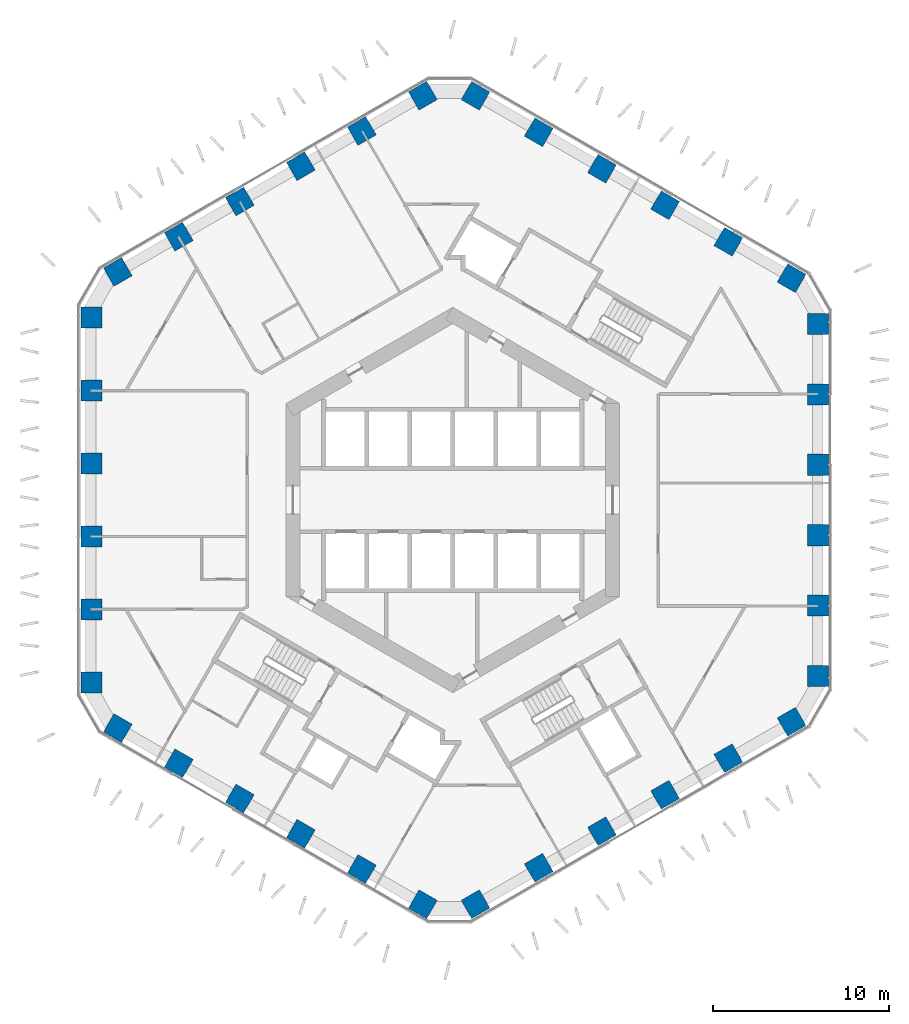
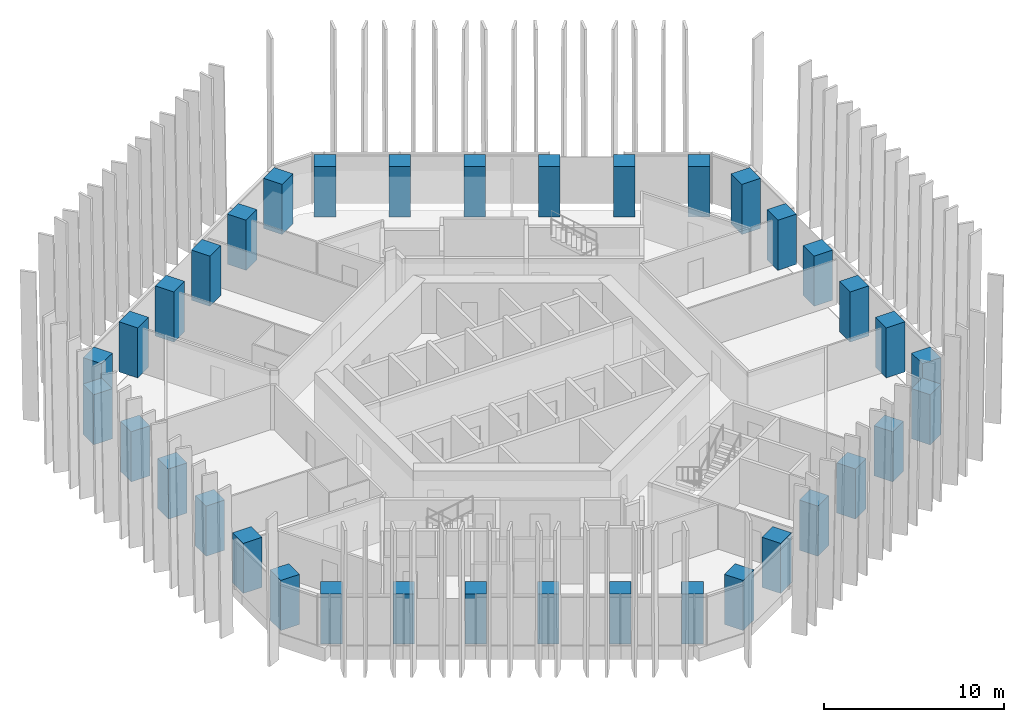
# One storey, part 1 of 20: 36 columns.
"""IFC4 building model written with IfcOpenShell, lengths in metres."""

from ifc_helpers import new_model, si_unit, direction, frame, origin, origin_2d, place, context, subcontext, project, spatial, rectangle, extrude, material, material_profile, profile_set, type_object, element, save


model = new_model("IFC4")

# Units and contexts
model_context = context("Model", 3, precision=1e-05, world=origin(), true_north=direction((0.0, 1.0)))
body_context = subcontext(model_context, "Body", "Model", "MODEL_VIEW")
ifc_project = project(units=[si_unit("LENGTHUNIT", "METRE"), si_unit("AREAUNIT", "SQUARE_METRE"), si_unit("VOLUMEUNIT", "CUBIC_METRE"), si_unit("PLANEANGLEUNIT", "RADIAN"), si_unit("MASSUNIT", "GRAM", prefix="KILO")], contexts=[model_context])

# Site, building, storey
site_placement = place(None, origin())
site = spatial("IfcSite", under=ifc_project, at=site_placement, CompositionType="ELEMENT")
building_placement = place(site_placement, origin())
building = spatial("IfcBuilding", under=site, at=building_placement, Name="Ayvan Gate Tower", CompositionType="ELEMENT")
storey_placement = place(building_placement, frame((0.0, 0.0, 35.699951171875)))
storey = spatial("IfcBuildingStorey", under=building, at=storey_placement, Name="L08", CompositionType="ELEMENT", Elevation=35.699951171875)

# Columns
ifc_material = material(Name="Concrete C70/85", Category="concrete")
ifc_material_profile = material_profile(ifc_material, rectangle(XDim=1.199951171875, YDim=1.199951171875, at=origin_2d()), Name="RC 1200x1200")
ifc_profile_set = profile_set([ifc_material_profile], Name="Concrete C70/85")
column_type = type_object("IfcColumnType", Name="Tube column RC 1200x1200 C70/85", PredefinedType="COLUMN", material=ifc_profile_set)
for number, where, z_axis, x_axis, name in (
    (1, (20.78466796875, -10.028076171875, 0.0), (0.0, 0.0, 1.0), (1.0, 0.0, 0.0), "C-T0-0-L08"),
    (2, (20.78466796875, -6.016845703125, 0.0), (0.0, 0.0, 1.0), (1.0, 0.0, 0.0), "C-T0-1-L08"),
    (3, (20.78466796875, -2.005615234375, 0.0), (0.0, 0.0, 1.0), (1.0, 0.0, 0.0), "C-T0-2-L08"),
    (4, (20.78466796875, 2.005615234375, 0.0), (0.0, 0.0, 1.0), (1.0, 0.0, 0.0), "C-T0-3-L08"),
    (5, (20.78466796875, 6.016845703125, 0.0), (0.0, 0.0, 1.0), (1.0, 0.0, 0.0), "C-T0-4-L08"),
    (6, (20.78466796875, 10.028076171875, 0.0), (0.0, 0.0, 1.0), (1.0, 0.0, 0.0), "C-T0-5-L08"),
    (7, (19.28466796875, 12.626220703125, 0.0), (0.0, 0.0, 1.0), (0.5, 0.866025403784, 0.0), "C-T1-0-L08"),
    (8, (15.68603515625, 14.703857421875, 0.0), (0.0, 0.0, 1.0), (0.5, 0.866025403784, 0.0), "C-T1-1-L08"),
    (9, (12.087646484375, 16.78125, 0.0), (0.0, 0.0, 1.0), (0.5, 0.866025403784, 0.0), "C-T1-2-L08"),
    (10, (8.4892578125, 18.85888671875, 0.0), (0.0, 0.0, 1.0), (0.5, 0.866025403784, 0.0), "C-T1-3-L08"),
    (11, (4.890869140625, 20.9365234375, 0.0), (0.0, 0.0, 1.0), (0.5, 0.866025403784, 0.0), "C-T1-4-L08"),
    (12, (1.292236328125, 23.01416015625, 0.0), (0.0, 0.0, 1.0), (0.5, 0.866025403784, 0.0), "C-T1-5-L08"),
    (13, (-1.707763671875, 23.01416015625, 0.0), (0.0, 0.0, 1.0), (-0.5, 0.866025403784, 0.0), "C-T2-0-L08"),
    (14, (-5.181640625, 21.008544921875, 0.0), (0.0, 0.0, 1.0), (-0.5, 0.866025403784, 0.0), "C-T2-1-L08"),
    (15, (-8.6552734375, 19.0029296875, 0.0), (0.0, 0.0, 1.0), (-0.5, 0.866025403784, 0.0), "C-T2-2-L08"),
    (16, (-12.129150390625, 16.9970703125, 0.0), (0.0, 0.0, 1.0), (-0.5, 0.866025403784, 0.0), "C-T2-3-L08"),
    (17, (-15.60302734375, 14.991455078125, 0.0), (0.0, 0.0, 1.0), (-0.5, 0.866025403784, 0.0), "C-T2-4-L08"),
    (18, (-19.076904296875, 12.98583984375, 0.0), (0.0, 0.0, 1.0), (-0.5, 0.866025403784, 0.0), "C-T2-5-L08"),
    (19, (-20.576904296875, 10.387939453125, 0.0), (0.0, 0.0, 1.0), (-1.0, 0.0, 0.0), "C-T3-0-L08"),
    (20, (-20.576904296875, 6.232666015625, 0.0), (0.0, 0.0, 1.0), (-1.0, 0.0, 0.0), "C-T3-1-L08"),
    (21, (-20.576904296875, 2.07763671875, 0.0), (0.0, 0.0, 1.0), (-1.0, 0.0, 0.0), "C-T3-2-L08"),
    (22, (-20.576904296875, -2.07763671875, 0.0), (0.0, 0.0, 1.0), (-1.0, 0.0, 0.0), "C-T3-3-L08"),
    (23, (-20.576904296875, -6.232666015625, 0.0), (0.0, 0.0, 1.0), (-1.0, 0.0, 0.0), "C-T3-4-L08"),
    (24, (-20.576904296875, -10.387939453125, 0.0), (0.0, 0.0, 1.0), (-1.0, 0.0, 0.0), "C-T3-5-L08"),
    (25, (-19.076904296875, -12.98583984375, 0.0), (0.0, 0.0, 1.0), (-0.5, -0.866025403784, 0.0), "C-T4-0-L08"),
    (26, (-15.60302734375, -14.991455078125, 0.0), (0.0, 0.0, 1.0), (-0.5, -0.866025403784, 0.0), "C-T4-1-L08"),
    (27, (-12.129150390625, -16.9970703125, 0.0), (0.0, 0.0, 1.0), (-0.5, -0.866025403784, 0.0), "C-T4-2-L08"),
    (28, (-8.6552734375, -19.0029296875, 0.0), (0.0, 0.0, 1.0), (-0.5, -0.866025403784, 0.0), "C-T4-3-L08"),
    (29, (-5.181640625, -21.008544921875, 0.0), (0.0, 0.0, 1.0), (-0.5, -0.866025403784, 0.0), "C-T4-4-L08"),
    (30, (-1.707763671875, -23.01416015625, 0.0), (0.0, 0.0, 1.0), (-0.5, -0.866025403784, 0.0), "C-T4-5-L08"),
    (31, (1.292236328125, -23.01416015625, 0.0), (0.0, 0.0, 1.0), (0.5, -0.866025403784, 0.0), "C-T5-0-L08"),
    (32, (4.890869140625, -20.9365234375, 0.0), (0.0, 0.0, 1.0), (0.5, -0.866025403784, 0.0), "C-T5-1-L08"),
    (33, (8.4892578125, -18.85888671875, 0.0), (0.0, 0.0, 1.0), (0.5, -0.866025403784, 0.0), "C-T5-2-L08"),
    (34, (12.087646484375, -16.78125, 0.0), (0.0, 0.0, 1.0), (0.5, -0.866025403784, 0.0), "C-T5-3-L08"),
    (35, (15.68603515625, -14.703857421875, 0.0), (0.0, 0.0, 1.0), (0.5, -0.866025403784, 0.0), "C-T5-4-L08"),
    (36, (19.28466796875, -12.626220703125, 0.0), (0.0, 0.0, 1.0), (0.5, -0.866025403784, 0.0), "C-T5-5-L08"),
):
    element("IfcColumn", number, at=place(storey_placement, frame(where, z_axis=z_axis, x_axis=x_axis)), inside=storey, type_object=column_type, Name=name, PredefinedType="COLUMN", context=body_context, shape_type="SweptSolid", body=[
        extrude(rectangle(XDim=1.199951171875, YDim=1.199951171875, at=origin_2d()), origin(), (0.0, 0.0, 1.0), 3.400146484375),
    ])

save(model, "model.ifc")
